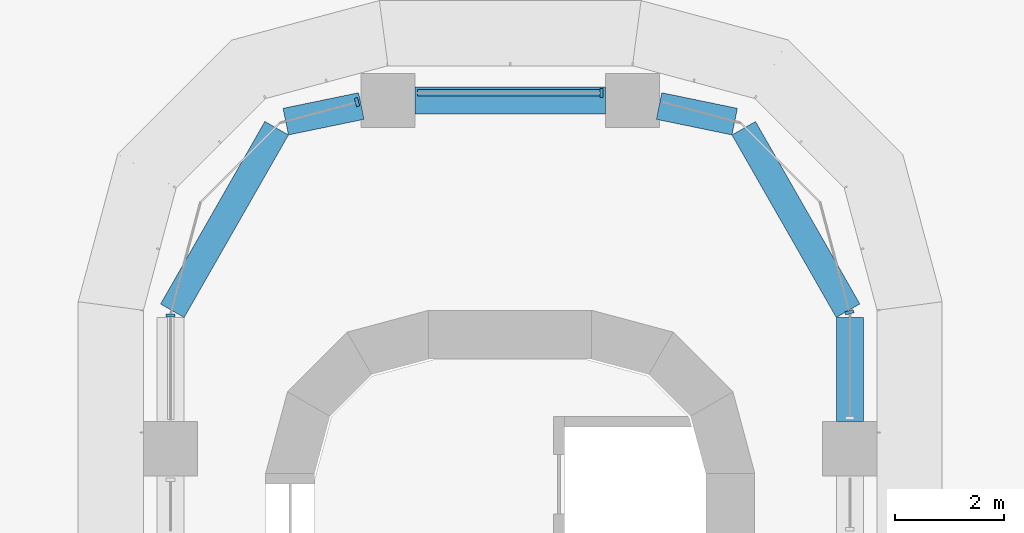
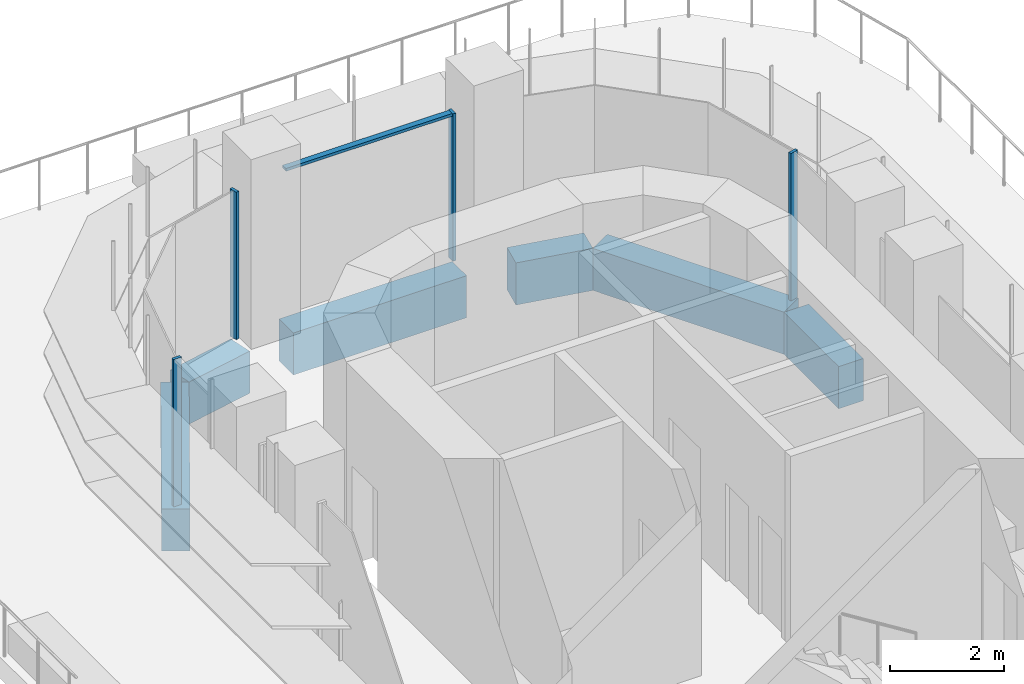
# One storey, part 10 of 26: 6 beams, 5 members, 4 elements without a shape of their own.
"""IFC4 building model written with IfcOpenShell, lengths in metres."""

import ifcopenshell
import ifcopenshell.guid

model = None  # the IFC model being written
_history = None  # IfcOwnerHistory: only IFC2X3 demands one
_inside = {}  # id of a spatial element -> (the spatial element, [elements in it])
_under = {}  # id of a project, library or spatial element -> (it, [spatial elements below it])
_declared = {}  # id of a project -> (the project, [libraries it declares])
_typed = {}  # id of a type object -> (the type object, [elements of that type])
_made_of = {}  # id of a material, layer set ... -> (it, [elements and type objects made of it])


def new_model(schema):
    """Start an empty IFC model of exactly this schema.

    Asked for "IFC4X3", IfcOpenShell would pick the latest addendum, in which some entities
    have other attributes; the version numbers below select the first issue.
    IFC2X3 requires an IfcOwnerHistory on every rooted entity: one is made here for all.
    """
    global model, _history
    if schema == "IFC4X3":
        model = ifcopenshell.file(schema_version=(4, 3, 0, 0))
    else:
        model = ifcopenshell.file(schema=schema)
    _inside.clear()
    _under.clear()
    _declared.clear()
    _typed.clear()
    _made_of.clear()
    _history = None
    if model.schema == "IFC2X3":
        org = make("IfcOrganization", Name="unknown")
        user = make(
            "IfcPersonAndOrganization",
            ThePerson=make("IfcPerson", FamilyName="unknown"),
            TheOrganization=org,
        )
        app = make(
            "IfcApplication",
            ApplicationDeveloper=org,
            Version="unknown",
            ApplicationFullName="unknown",
            ApplicationIdentifier="unknown",
        )
        _history = make(
            "IfcOwnerHistory",
            OwningUser=user,
            OwningApplication=app,
            ChangeAction="ADDED",
            CreationDate=0,
        )
    return model


def make(cls, **values):
    """One entity of the class cls with the attributes given. An attribute that is None is left unset."""
    return model.create_entity(
        cls, **{name: value for name, value in values.items() if value is not None}
    )


def rooted(cls, **values):
    """An entity with a GlobalId (a new one), such as an element, a storey or a relation."""
    return make(cls, GlobalId=ifcopenshell.guid.new(), OwnerHistory=_history, **values)


def si_unit(unit_type, name, prefix=None):
    """IfcSIUnit, for example si_unit("LENGTHUNIT", "METRE", prefix="MILLI")."""
    return make("IfcSIUnit", UnitType=unit_type, Prefix=prefix, Name=name)


def assignment(units):
    """IfcUnitAssignment: the units of a project."""
    return None if units is None else make("IfcUnitAssignment", Units=units)


def point(xyz):
    """IfcCartesianPoint."""
    return None if xyz is None else make("IfcCartesianPoint", Coordinates=xyz)


def direction(xyz):
    """IfcDirection."""
    return None if xyz is None else make("IfcDirection", DirectionRatios=xyz)


def frame(location, z_axis=None, x_axis=None):
    """IfcAxis2Placement3D, a coordinate frame: its origin and axes. An axis left out is left unset."""
    return make(
        "IfcAxis2Placement3D",
        Location=point(location),
        Axis=direction(z_axis),
        RefDirection=direction(x_axis),
    )


def frame_2d(location, x_axis=None):
    """IfcAxis2Placement2D, a coordinate frame in the plane: its origin and x axis."""
    return make(
        "IfcAxis2Placement2D", Location=point(location), RefDirection=direction(x_axis)
    )


def origin():
    """The frame at (0, 0, 0) with its axes left unset."""
    return frame((0.0, 0.0, 0.0))


def origin_2d():
    """The frame at (0, 0) in the plane with its x axis left unset."""
    return frame_2d((0.0, 0.0))


def place(relative_to, where):
    """IfcLocalPlacement: puts the frame where relative to a parent placement (None: the world)."""
    return make(
        "IfcLocalPlacement", PlacementRelTo=relative_to, RelativePlacement=where
    )


def context(
    kind, dimensions, precision=None, world=None, true_north=None, identifier=None
):
    """IfcGeometricRepresentationContext, for example the 3D "Model" context."""
    return make(
        "IfcGeometricRepresentationContext",
        ContextIdentifier=identifier,
        ContextType=kind,
        CoordinateSpaceDimension=dimensions,
        Precision=precision,
        WorldCoordinateSystem=world,
        TrueNorth=true_north,
    )


def subcontext(parent, identifier, kind, view, scale=None):
    """IfcGeometricRepresentationSubContext, for example "Body" below "Model"."""
    return make(
        "IfcGeometricRepresentationSubContext",
        ContextIdentifier=identifier,
        ContextType=kind,
        ParentContext=parent,
        TargetScale=scale,
        TargetView=view,
    )


def project(units=None, contexts=None):
    """IfcProject with its units and contexts."""
    return rooted(
        "IfcProject",
        Name="project",
        RepresentationContexts=contexts,
        UnitsInContext=assignment(units),
    )


def spatial(cls, under=None, at=None, **own):
    """A site, building, storey or space (cls), placed at a placement, below another one or the project."""
    s = rooted(cls, ObjectPlacement=at, **own)
    if under is not None:
        _under.setdefault(under.id(), (under, []))[1].append(s)
    return s


def polyline(points):
    """IfcPolyline through the points."""
    return make("IfcPolyline", Points=[point(p) for p in points])


def profile(cls, at=None, kind="AREA", **sizes):
    """A parametric profile (cls). Its sizes go by their IFC names, for example OverallWidth=200.0."""
    return make(cls, ProfileType=kind, Position=at, **sizes)


def rectangle(**sizes):
    """IfcRectangleProfileDef."""
    return profile("IfcRectangleProfileDef", **sizes)


def outline(outer, holes=None, kind="AREA"):
    """IfcArbitraryClosedProfileDef: a profile drawn as a closed curve; with holes, ...WithVoids."""
    if holes is None:
        return make("IfcArbitraryClosedProfileDef", ProfileType=kind, OuterCurve=outer)
    return make(
        "IfcArbitraryProfileDefWithVoids",
        ProfileType=kind,
        OuterCurve=outer,
        InnerCurves=holes,
    )


def extrude(swept, where, along, depth):
    """IfcExtrudedAreaSolid: the profile swept, set in the frame where, extruded along a direction by depth."""
    return make(
        "IfcExtrudedAreaSolid",
        SweptArea=swept,
        Position=where,
        ExtrudedDirection=direction(along),
        Depth=depth,
    )


def shape(context_of_items, identifier, shape_type, items):
    """IfcShapeRepresentation: the items that make up one representation, for example the "Body"."""
    return make(
        "IfcShapeRepresentation",
        ContextOfItems=context_of_items,
        RepresentationIdentifier=identifier,
        RepresentationType=shape_type,
        Items=items,
    )


def source(mapping_origin, context_of_items, identifier, shape_type, items):
    """IfcRepresentationMap: a shape defined once, which mapped items show again and again."""
    return make(
        "IfcRepresentationMap",
        MappingOrigin=mapping_origin,
        MappedRepresentation=shape(context_of_items, identifier, shape_type, items),
    )


def transform(
    local_origin,
    x_axis=None,
    y_axis=None,
    z_axis=None,
    scale=None,
    scale2=None,
    scale3=None,
    uniform=True,
):
    """IfcCartesianTransformationOperator3D, or its non-uniform kind. x_axis, y_axis, z_axis: its Axis1, 2, 3."""
    if uniform:
        return make(
            "IfcCartesianTransformationOperator3D",
            Axis1=direction(x_axis),
            Axis2=direction(y_axis),
            LocalOrigin=point(local_origin),
            Scale=scale,
            Axis3=direction(z_axis),
        )
    return make(
        "IfcCartesianTransformationOperator3DnonUniform",
        Axis1=direction(x_axis),
        Axis2=direction(y_axis),
        LocalOrigin=point(local_origin),
        Scale=scale,
        Axis3=direction(z_axis),
        Scale2=scale2,
        Scale3=scale3,
    )


def mapped(mapping_source, mapping_target):
    """IfcMappedItem: shows the shape of a source again, moved by a transform."""
    return make(
        "IfcMappedItem", MappingSource=mapping_source, MappingTarget=mapping_target
    )


def material(Name=None, Category=None):
    """IfcMaterial."""
    return make("IfcMaterial", Name=Name, Category=Category)


def material_profile(
    of_material, cross_section, Name=None, Category=None, Priority=None
):
    """IfcMaterialProfile: a cross section and its material."""
    return make(
        "IfcMaterialProfile",
        Name=Name,
        Material=of_material,
        Profile=cross_section,
        Priority=Priority,
        Category=Category,
    )


def profile_set(profiles, Name=None, composite=None):
    """IfcMaterialProfileSet."""
    return make(
        "IfcMaterialProfileSet",
        Name=Name,
        MaterialProfiles=profiles,
        CompositeProfile=composite,
    )


def made_of(thing, what):
    """Note that an element or type object is made of a material, layer set ...; save() writes the relation."""
    if what is not None:
        _made_of.setdefault(what.id(), (what, []))[1].append(thing)
    return thing


def type_object(cls, material=None, **own):
    """A type object (cls), such as IfcWallType, which elements share."""
    return made_of(rooted(cls, **own), material)


def element(
    cls,
    number,
    at=None,
    inside=None,
    cuts=None,
    type_object=None,
    material=None,
    context=None,
    identifier="Body",
    shape_type=None,
    held_by="IfcProductDefinitionShape",
    body=None,
    shapes=None,
    **own,
):
    """One element of the class cls, such as IfcWall. Its Tag is "e" and its number.

    at: its placement. inside: the storey or other place that contains it. cuts: it is an
    opening in that element (IfcRelVoidsElement). A single representation is given by context,
    identifier, shape_type and body (its items); several are given by shapes. held_by: the class
    of the entity that holds the representations. save() writes the other relations.
    """
    e = rooted(cls, Tag="e%d" % number, ObjectPlacement=at, **own)
    if body is not None:
        shapes = [shape(context, identifier, shape_type, body)]
    if shapes is not None:
        e.Representation = make(held_by, Representations=shapes)
    if inside is not None:
        _inside.setdefault(inside.id(), (inside, []))[1].append(e)
    if cuts is not None:
        rooted(
            "IfcRelVoidsElement", RelatingBuildingElement=cuts, RelatedOpeningElement=e
        )
    if type_object is not None:
        _typed.setdefault(type_object.id(), (type_object, []))[1].append(e)
    return made_of(e, material)


def aggregate(whole, parts):
    """IfcRelAggregates: a whole, such as a stair, and the parts it consists of."""
    return rooted("IfcRelAggregates", RelatingObject=whole, RelatedObjects=parts)


def save(model, path):
    """Write the relations noted so far, then the file.

    IfcRelAggregates (storeys below a building ...), IfcRelContainedInSpatialStructure (elements
    in a storey), IfcRelDefinesByType, IfcRelAssociatesMaterial and IfcRelDeclares: one each for
    every whole, place, type object, material and project.
    """
    for whole, parts in _under.values():
        aggregate(whole, parts)
    for where, things in _inside.values():
        rooted(
            "IfcRelContainedInSpatialStructure",
            RelatedElements=things,
            RelatingStructure=where,
        )
    for kind, things in _typed.values():
        rooted("IfcRelDefinesByType", RelatedObjects=things, RelatingType=kind)
    for what, things in _made_of.values():
        rooted("IfcRelAssociatesMaterial", RelatedObjects=things, RelatingMaterial=what)
    for by, libraries in _declared.values():
        rooted("IfcRelDeclares", RelatingContext=by, RelatedDefinitions=libraries)
    model.write(path)


model = new_model("IFC4")

# Units and contexts
model_context = context("Model", 3, precision=1e-05, world=origin(), true_north=direction((0.0, 1.0)))
body_context = subcontext(model_context, "Body", "Model", "MODEL_VIEW")
ifc_project = project(units=[si_unit("LENGTHUNIT", "METRE"), si_unit("AREAUNIT", "SQUARE_METRE"), si_unit("VOLUMEUNIT", "CUBIC_METRE"), si_unit("PLANEANGLEUNIT", "RADIAN"), si_unit("MASSUNIT", "GRAM", prefix="KILO")], contexts=[model_context])

# Site, building, storey
site_placement = place(None, origin())
site = spatial("IfcSite", under=ifc_project, at=site_placement, CompositionType="ELEMENT")
building_placement = place(site_placement, origin())
building = spatial("IfcBuilding", under=site, at=building_placement, Name="Zarbagh Exchange Tower", CompositionType="ELEMENT")
storey_placement = place(building_placement, frame((0.0, 0.0, 27.0)))
storey = spatial("IfcBuildingStorey", under=building, at=storey_placement, Name="L05", CompositionType="ELEMENT", Elevation=27.0)

# Beams
ifc_material_1 = material(Name="Concrete C60/75", Category="concrete")
ifc_material_profile = material_profile(ifc_material_1, rectangle(XDim=0.5, YDim=0.89990234375, at=origin_2d()), Name="RC spandrel beam 500 x 900 C60/75")
ifc_profile_set = profile_set([ifc_material_profile], Name="Concrete C60/75")
beam_type = type_object("IfcBeamType", Name="RC spandrel beam 500 x 900 C60/75", PredefinedType="SPANDREL", material=ifc_profile_set)
beam_1_placement = place(storey_placement, frame((-6.217041015625, 29.24169921875, -0.60009765625), z_axis=(0.496220481126, 0.868196541177, 0.0), x_axis=(-0.868196541177, 0.496220481126, 0.0)))
element("IfcBeam", 1, at=beam_1_placement, inside=storey, type_object=beam_type, Name="RC spandrel beam", PredefinedType="SPANDREL", context=body_context, shape_type="SweptSolid", body=[
    extrude(rectangle(XDim=0.5, YDim=0.89990234375, at=origin_2d()), origin(), (0.0, 0.0, 1.0), 3.869140625),
])
beam_2_placement = place(storey_placement, frame((-4.130615234375, 32.7216796875, -0.60009765625), z_axis=(0.979352054934, 0.202162193541, 0.0), x_axis=(-0.202162193541, 0.979352054934, 0.0)))
element("IfcBeam", 2, at=beam_2_placement, inside=storey, type_object=beam_type, Name="RC spandrel beam", PredefinedType="SPANDREL", context=body_context, shape_type="SweptSolid", body=[
    extrude(rectangle(XDim=0.5, YDim=0.89990234375, at=origin_2d()), origin(), (0.0, 0.0, 1.0), 1.420166015625),
])
beam_3_placement = place(storey_placement, frame((-1.75, 33.110107421875, -0.60009765625), z_axis=(1.0, 0.0, 0.0), x_axis=(0.0, 1.0, 0.0)))
element("IfcBeam", 3, at=beam_3_placement, inside=storey, type_object=beam_type, Name="RC spandrel beam", PredefinedType="SPANDREL", context=body_context, shape_type="SweptSolid", body=[
    extrude(rectangle(XDim=0.5, YDim=0.89990234375, at=origin_2d()), origin(), (0.0, 0.0, 1.0), 3.5),
])
beam_4_placement = place(storey_placement, frame((2.73974609375, 33.0087890625, -0.60009765625), z_axis=(0.979352054934, -0.202162193541, 0.0), x_axis=(0.202162193541, 0.979352054934, 0.0)))
element("IfcBeam", 4, at=beam_4_placement, inside=storey, type_object=beam_type, Name="RC spandrel beam", PredefinedType="SPANDREL", context=body_context, shape_type="SweptSolid", body=[
    extrude(rectangle(XDim=0.5, YDim=0.89990234375, at=origin_2d()), origin(), (0.0, 0.0, 1.0), 1.420166015625),
])
beam_5_placement = place(storey_placement, frame((4.297119140625, 32.600830078125, -0.60009765625), z_axis=(0.496220481126, -0.868196541177, 0.0), x_axis=(0.868196541177, 0.496220481126, 0.0)))
element("IfcBeam", 5, at=beam_5_placement, inside=storey, type_object=beam_type, Name="RC spandrel beam", PredefinedType="SPANDREL", context=body_context, shape_type="SweptSolid", body=[
    extrude(rectangle(XDim=0.5, YDim=0.89990234375, at=origin_2d()), origin(), (0.0, 0.0, 1.0), 3.869140625),
])
beam_6_placement = place(storey_placement, frame((6.25, 29.117919921875, -0.60009765625), z_axis=(0.0, -1.0, 0.0), x_axis=(1.0, 0.0, 0.0)))
element("IfcBeam", 6, at=beam_6_placement, inside=storey, type_object=beam_type, Name="RC spandrel beam", PredefinedType="SPANDREL", context=body_context, shape_type="SweptSolid", body=[
    extrude(rectangle(XDim=0.5, YDim=0.89990234375, at=origin_2d()), origin(), (0.0, 0.0, 1.0), 1.91796875),
])

# Curtain wall, member
ifc_material_2 = material(Name="Anodised aluminium frame and glazing", Category="aluminium")
curtain_wall_type = type_object("IfcCurtainWallType", Name="CWA Ribbon glazing, lower zones", PredefinedType="NOTDEFINED", material=ifc_material_2)
curtain_wall_1_placement = place(storey_placement, origin())
curtain_wall_1 = element("IfcCurtainWall", 7, at=curtain_wall_1_placement, inside=storey, type_object=curtain_wall_type, Name="CWA21 curtain wall", PredefinedType="NOTDEFINED")
ifc_material_3 = material(Name="Anodised aluminium frame", Category="aluminium")
member_type_1 = type_object("IfcMemberType", Name="MUA Mullion, anodised aluminium frame", PredefinedType="MULLION", material=ifc_material_3)
shared_shape_1 = source(origin(), body_context, "Body", "SweptSolid", [
    extrude(outline(polyline([(0.0, -0.080078125), (0.06005859375, -0.080078125), (0.06005859375, 0.080078125), (0.0, 0.080078125), (0.0, -0.080078125)])), origin(), (0.0, 0.0, 1.0), 3.14990234375),
])
placement = place(storey_placement, origin())
member_1 = element("IfcMember", 8, at=placement, type_object=member_type_1, Name="CWA21 mullion 1.1", PredefinedType="MULLION", context=body_context, shape_type="MappedRepresentation", body=[
    mapped(shared_shape_1, transform((6.25, 29.18408203125, 0.0), x_axis=(-0.258824779902, 0.965924289636, 0.0), y_axis=(-0.965924289636, -0.258824779902, 0.0), z_axis=(0.0, 0.0, 1.0))),
])
aggregate(curtain_wall_1, [member_1])

curtain_wall_2_placement = place(storey_placement, origin())
curtain_wall_2 = element("IfcCurtainWall", 9, at=curtain_wall_2_placement, inside=storey, type_object=curtain_wall_type, Name="CWA24 curtain wall", PredefinedType="NOTDEFINED")
member_2 = element("IfcMember", 10, at=placement, type_object=member_type_1, Name="CWA24 mullion 1.1", PredefinedType="MULLION", context=body_context, shape_type="MappedRepresentation", body=[
    mapped(shared_shape_1, transform((1.7099609375, 33.25, 0.0), x_axis=(-1.0, 0.0, 0.0), y_axis=(0.0, -1.0, 0.0), z_axis=(0.0, 0.0, 1.0))),
])

curtain_wall_3_placement = place(storey_placement, origin())
curtain_wall_3 = element("IfcCurtainWall", 11, at=curtain_wall_3_placement, inside=storey, type_object=curtain_wall_type, Name="CWA25 curtain wall", PredefinedType="NOTDEFINED")
member_3 = element("IfcMember", 12, at=placement, type_object=member_type_1, Name="CWA25 mullion 1.1", PredefinedType="MULLION", context=body_context, shape_type="MappedRepresentation", body=[
    mapped(shared_shape_1, transform((-2.7900390625, 33.087646484375, 0.0), x_axis=(-0.965924289636, -0.258824779902, 0.0), y_axis=(0.258824779902, -0.965924289636, 0.0), z_axis=(0.0, 0.0, 1.0))),
])
aggregate(curtain_wall_3, [member_3])

curtain_wall_4_placement = place(storey_placement, origin())
curtain_wall_4 = element("IfcCurtainWall", 13, at=curtain_wall_4_placement, inside=storey, type_object=curtain_wall_type, Name="CWA28 curtain wall", PredefinedType="NOTDEFINED")
member_4 = element("IfcMember", 14, at=placement, type_object=member_type_1, Name="CWA28 mullion 1.1", PredefinedType="MULLION", context=body_context, shape_type="MappedRepresentation", body=[
    mapped(shared_shape_1, transform((-6.25, 29.18408203125, 0.0), x_axis=(0.0, -1.0, 0.0), y_axis=(1.0, 0.0, 0.0), z_axis=(0.0, 0.0, 1.0))),
])
aggregate(curtain_wall_4, [member_4])

# Member
member_type_2 = type_object("IfcMemberType", Name="TRA Transom, anodised aluminium frame", PredefinedType="USERDEFINED", material=ifc_material_3)
shared_shape_2 = source(origin(), body_context, "Body", "SweptSolid", [
    extrude(outline(polyline([(-0.06005859375, -0.06005859375), (0.0, -0.06005859375), (0.0, 0.06005859375), (-0.06005859375, 0.06005859375), (-0.06005859375, -0.06005859375)])), origin(), (0.0, 0.0, 1.0), 3.360107421875),
])
member_5 = element("IfcMember", 15, at=placement, type_object=member_type_2, Name="CWA24 transom 1.1", ObjectType="TRANSOM", PredefinedType="USERDEFINED", context=body_context, shape_type="MappedRepresentation", body=[
    mapped(shared_shape_2, transform((1.64990234375, 33.25, 3.14990234375), x_axis=(0.0, 0.0, 1.0), y_axis=(0.0, 1.0, 0.0), z_axis=(-1.0, 0.0, 0.0))),
])

aggregate(curtain_wall_2, [member_2, member_5])

save(model, "model.ifc")
